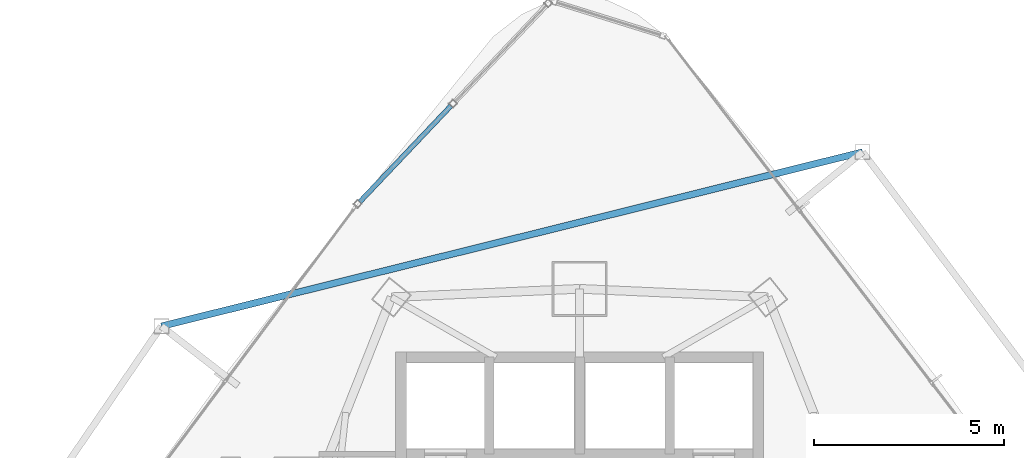
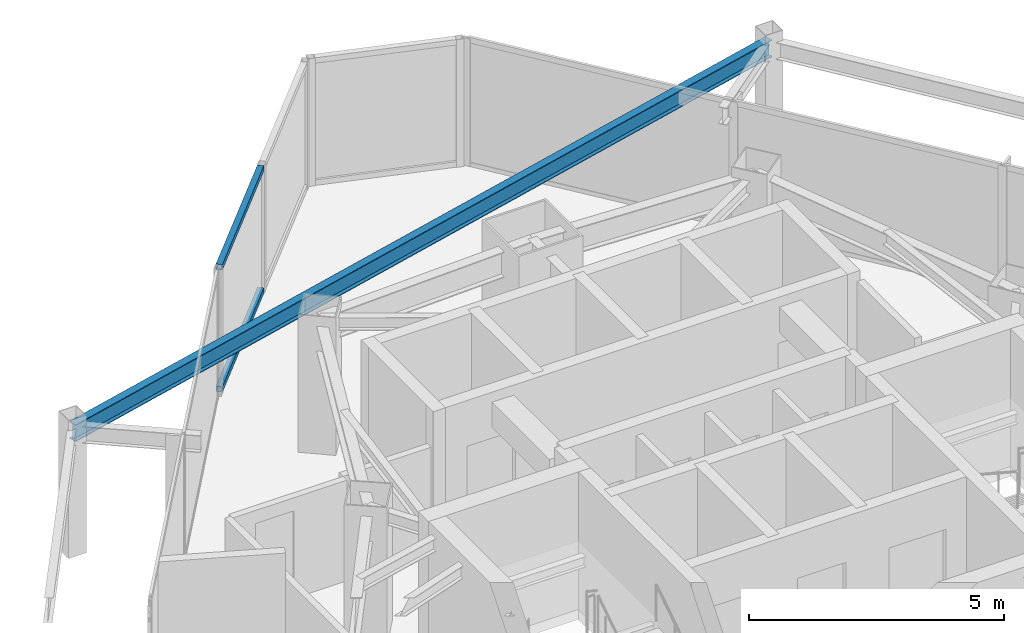
# One storey, part 22 of 31: 2 members, 1 beam, 1 element without a shape of its own.
"""IFC4 building model written with IfcOpenShell, lengths in metres."""

from ifc_helpers import new_model, si_unit, direction, frame, origin, origin_2d, place, context, subcontext, project, spatial, hollow_rectangle, i_section, extrude, material, layer, layer_set, material_profile, profile_set, type_object, element, aggregate, save


model = new_model("IFC4")

# Units and contexts
model_context = context("Model", 3, precision=1e-05, world=origin(), true_north=direction((0.0, 1.0)))
body_context = subcontext(model_context, "Body", "Model", "MODEL_VIEW")
ifc_project = project(units=[si_unit("LENGTHUNIT", "METRE"), si_unit("AREAUNIT", "SQUARE_METRE"), si_unit("VOLUMEUNIT", "CUBIC_METRE"), si_unit("PLANEANGLEUNIT", "RADIAN"), si_unit("MASSUNIT", "GRAM", prefix="KILO")], contexts=[model_context])

# Site, building, storey
site_placement = place(None, origin())
site = spatial("IfcSite", under=ifc_project, at=site_placement, CompositionType="ELEMENT")
building_placement = place(site_placement, origin())
building = spatial("IfcBuilding", under=site, at=building_placement, Name="Orvanel Arch Residences", CompositionType="ELEMENT")
storey_placement = place(building_placement, frame((0.0, 0.0, 129.800048828125)))
storey = spatial("IfcBuildingStorey", under=building, at=storey_placement, Name="L36", CompositionType="ELEMENT", Elevation=129.800048828125)

# Beam
ifc_material_1 = material(Name="Structural steel AS/NZS 3679.1 Grade 300 (300 MPa)", Category="steel")
ifc_material_profile_1 = material_profile(ifc_material_1, i_section(OverallWidth=0.177978515625, OverallDepth=0.406005859375, WebThickness=0.0078125, FlangeThickness=0.0126953125, at=origin_2d()), Name="410UB59.7")
ifc_profile_set_1 = profile_set([ifc_material_profile_1], Name="Structural steel AS/NZS 3679.1 Grade 300 (300 MPa)")
beam_type = type_object("IfcBeamType", Name="OB-410UB-EXT", PredefinedType="SPANDREL", material=ifc_profile_set_1)
beam_placement = place(storey_placement, frame((40.443115234375, 44.9951171875, 2.85693359375), z_axis=(-0.970515386825, -0.241039175105, 0.0), x_axis=(0.241039175105, -0.970515386825, 0.0)))
element("IfcBeam", 1, at=beam_placement, inside=storey, type_object=beam_type, Name="L36 Outer Perimeter Floor Ring Beam 12", PredefinedType="SPANDREL", context=body_context, shape_type="SweptSolid", body=[
    extrude(i_section(OverallWidth=0.177978515625, OverallDepth=0.406005859375, WebThickness=0.0078125, FlangeThickness=0.0126953125, at=origin_2d()), origin(), (0.0, 0.0, 1.0), 19.00537109375),
])

# Curtain wall, members
ifc_material_2 = material(Name="Bronze-anodised aluminium AA6063-T6", Category="aluminium")
ifc_layer = layer(ifc_material_2, 0.18994140625)
ifc_layer_set = layer_set([ifc_layer], Name="Bronze-anodised aluminium AA6063-T6")
curtain_wall_type = type_object("IfcCurtainWallType", Name="CW5-CRN-SYS", PredefinedType="NOTDEFINED", material=ifc_layer_set)
curtain_wall_placement = place(storey_placement, origin())
curtain_wall = element("IfcCurtainWall", 2, at=curtain_wall_placement, inside=storey, type_object=curtain_wall_type, Name="L36 CW5-CRN-SYS Unitised Curtain Wall", PredefinedType="NOTDEFINED")
ifc_material_profile_2 = material_profile(ifc_material_2, hollow_rectangle(XDim=0.1298828125, YDim=0.1298828125, WallThickness=0.00439453125, at=origin_2d()), Name="ALU130x130x4.5")
ifc_profile_set_2 = profile_set([ifc_material_profile_2], Name="Bronze-anodised aluminium AA6063-T6")
member_type = type_object("IfcMemberType", Name="TRN-130x130", PredefinedType="USERDEFINED", material=ifc_profile_set_2)
member_1_placement = place(storey_placement, frame((29.616943359375, 46.213134765625, 0.06494140625), z_axis=(-0.68857290794, -0.725167118981, 0.0), x_axis=(0.725167118981, -0.68857290794, 0.0)))
member_1 = element("IfcMember", 3, at=member_1_placement, type_object=member_type, Name="CW-S5 transom 2.1", ObjectType="TRANSOM", PredefinedType="USERDEFINED", context=body_context, shape_type="SweptSolid", body=[
    extrude(hollow_rectangle(XDim=0.1298828125, YDim=0.1298828125, WallThickness=0.00439453125, at=origin_2d()), origin(), (0.0, 0.0, 1.0), 3.4892578125),
])
member_2_placement = place(storey_placement, frame((29.616943359375, 46.213134765625, 2.994873046875), z_axis=(-0.68857290794, -0.725167118981, 0.0), x_axis=(0.725167118981, -0.68857290794, 0.0)))
member_2 = element("IfcMember", 4, at=member_2_placement, type_object=member_type, Name="CW-S5 transom 2.2", ObjectType="TRANSOM", PredefinedType="USERDEFINED", context=body_context, shape_type="SweptSolid", body=[
    extrude(hollow_rectangle(XDim=0.1298828125, YDim=0.1298828125, WallThickness=0.00439453125, at=origin_2d()), origin(), (0.0, 0.0, 1.0), 3.4892578125),
])
aggregate(curtain_wall, [member_1, member_2])

save(model, "model.ifc")
